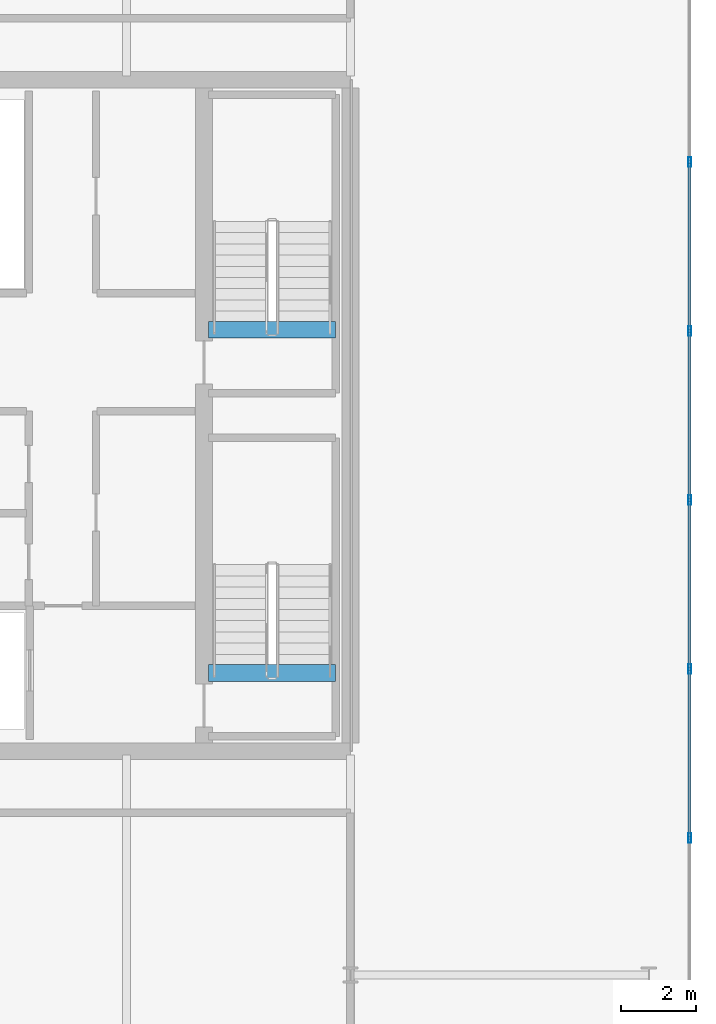
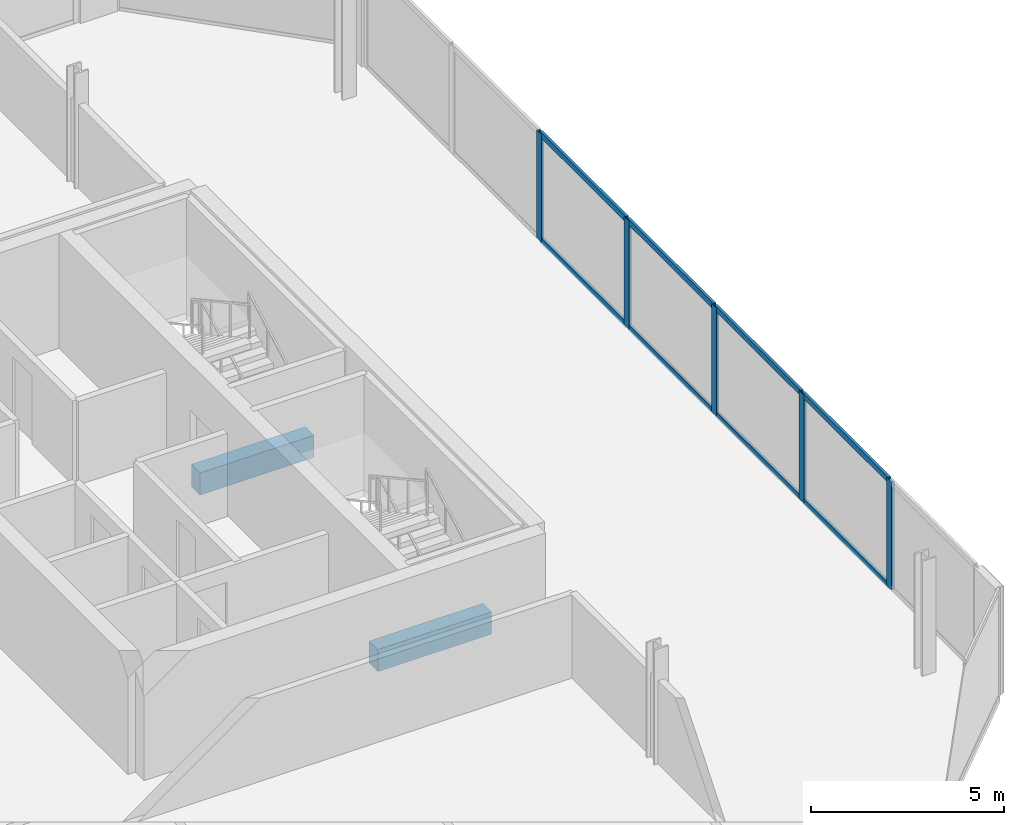
# One storey, part 8 of 16: 13 members, 2 beams, 1 element without a shape of its own.
"""IFC4 building model written with IfcOpenShell, lengths in metres."""

import ifcopenshell
import ifcopenshell.guid

model = None  # the IFC model being written
_history = None  # IfcOwnerHistory: only IFC2X3 demands one
_inside = {}  # id of a spatial element -> (the spatial element, [elements in it])
_under = {}  # id of a project, library or spatial element -> (it, [spatial elements below it])
_declared = {}  # id of a project -> (the project, [libraries it declares])
_typed = {}  # id of a type object -> (the type object, [elements of that type])
_made_of = {}  # id of a material, layer set ... -> (it, [elements and type objects made of it])


def new_model(schema):
    """Start an empty IFC model of exactly this schema.

    Asked for "IFC4X3", IfcOpenShell would pick the latest addendum, in which some entities
    have other attributes; the version numbers below select the first issue.
    IFC2X3 requires an IfcOwnerHistory on every rooted entity: one is made here for all.
    """
    global model, _history
    if schema == "IFC4X3":
        model = ifcopenshell.file(schema_version=(4, 3, 0, 0))
    else:
        model = ifcopenshell.file(schema=schema)
    _inside.clear()
    _under.clear()
    _declared.clear()
    _typed.clear()
    _made_of.clear()
    _history = None
    if model.schema == "IFC2X3":
        org = make("IfcOrganization", Name="unknown")
        user = make(
            "IfcPersonAndOrganization",
            ThePerson=make("IfcPerson", FamilyName="unknown"),
            TheOrganization=org,
        )
        app = make(
            "IfcApplication",
            ApplicationDeveloper=org,
            Version="unknown",
            ApplicationFullName="unknown",
            ApplicationIdentifier="unknown",
        )
        _history = make(
            "IfcOwnerHistory",
            OwningUser=user,
            OwningApplication=app,
            ChangeAction="ADDED",
            CreationDate=0,
        )
    return model


def make(cls, **values):
    """One entity of the class cls with the attributes given. An attribute that is None is left unset."""
    return model.create_entity(
        cls, **{name: value for name, value in values.items() if value is not None}
    )


def rooted(cls, **values):
    """An entity with a GlobalId (a new one), such as an element, a storey or a relation."""
    return make(cls, GlobalId=ifcopenshell.guid.new(), OwnerHistory=_history, **values)


def si_unit(unit_type, name, prefix=None):
    """IfcSIUnit, for example si_unit("LENGTHUNIT", "METRE", prefix="MILLI")."""
    return make("IfcSIUnit", UnitType=unit_type, Prefix=prefix, Name=name)


def assignment(units):
    """IfcUnitAssignment: the units of a project."""
    return None if units is None else make("IfcUnitAssignment", Units=units)


def point(xyz):
    """IfcCartesianPoint."""
    return None if xyz is None else make("IfcCartesianPoint", Coordinates=xyz)


def direction(xyz):
    """IfcDirection."""
    return None if xyz is None else make("IfcDirection", DirectionRatios=xyz)


def frame(location, z_axis=None, x_axis=None):
    """IfcAxis2Placement3D, a coordinate frame: its origin and axes. An axis left out is left unset."""
    return make(
        "IfcAxis2Placement3D",
        Location=point(location),
        Axis=direction(z_axis),
        RefDirection=direction(x_axis),
    )


def frame_2d(location, x_axis=None):
    """IfcAxis2Placement2D, a coordinate frame in the plane: its origin and x axis."""
    return make(
        "IfcAxis2Placement2D", Location=point(location), RefDirection=direction(x_axis)
    )


def origin():
    """The frame at (0, 0, 0) with its axes left unset."""
    return frame((0.0, 0.0, 0.0))


def origin_2d():
    """The frame at (0, 0) in the plane with its x axis left unset."""
    return frame_2d((0.0, 0.0))


def place(relative_to, where):
    """IfcLocalPlacement: puts the frame where relative to a parent placement (None: the world)."""
    return make(
        "IfcLocalPlacement", PlacementRelTo=relative_to, RelativePlacement=where
    )


def context(
    kind, dimensions, precision=None, world=None, true_north=None, identifier=None
):
    """IfcGeometricRepresentationContext, for example the 3D "Model" context."""
    return make(
        "IfcGeometricRepresentationContext",
        ContextIdentifier=identifier,
        ContextType=kind,
        CoordinateSpaceDimension=dimensions,
        Precision=precision,
        WorldCoordinateSystem=world,
        TrueNorth=true_north,
    )


def subcontext(parent, identifier, kind, view, scale=None):
    """IfcGeometricRepresentationSubContext, for example "Body" below "Model"."""
    return make(
        "IfcGeometricRepresentationSubContext",
        ContextIdentifier=identifier,
        ContextType=kind,
        ParentContext=parent,
        TargetScale=scale,
        TargetView=view,
    )


def project(units=None, contexts=None):
    """IfcProject with its units and contexts."""
    return rooted(
        "IfcProject",
        Name="project",
        RepresentationContexts=contexts,
        UnitsInContext=assignment(units),
    )


def spatial(cls, under=None, at=None, **own):
    """A site, building, storey or space (cls), placed at a placement, below another one or the project."""
    s = rooted(cls, ObjectPlacement=at, **own)
    if under is not None:
        _under.setdefault(under.id(), (under, []))[1].append(s)
    return s


def profile(cls, at=None, kind="AREA", **sizes):
    """A parametric profile (cls). Its sizes go by their IFC names, for example OverallWidth=200.0."""
    return make(cls, ProfileType=kind, Position=at, **sizes)


def rectangle(**sizes):
    """IfcRectangleProfileDef."""
    return profile("IfcRectangleProfileDef", **sizes)


def hollow_rectangle(**sizes):
    """IfcRectangleHollowProfileDef."""
    return profile("IfcRectangleHollowProfileDef", **sizes)


def extrude(swept, where, along, depth):
    """IfcExtrudedAreaSolid: the profile swept, set in the frame where, extruded along a direction by depth."""
    return make(
        "IfcExtrudedAreaSolid",
        SweptArea=swept,
        Position=where,
        ExtrudedDirection=direction(along),
        Depth=depth,
    )


def shape(context_of_items, identifier, shape_type, items):
    """IfcShapeRepresentation: the items that make up one representation, for example the "Body"."""
    return make(
        "IfcShapeRepresentation",
        ContextOfItems=context_of_items,
        RepresentationIdentifier=identifier,
        RepresentationType=shape_type,
        Items=items,
    )


def material(Name=None, Category=None):
    """IfcMaterial."""
    return make("IfcMaterial", Name=Name, Category=Category)


def layer(
    of_material, thickness, ventilated=None, Name=None, Category=None, Priority=None
):
    """IfcMaterialLayer: one layer of a wall or slab, of a material (None: an air gap)."""
    return make(
        "IfcMaterialLayer",
        Material=of_material,
        LayerThickness=thickness,
        IsVentilated=ventilated,
        Name=Name,
        Category=Category,
        Priority=Priority,
    )


def layer_set(layers, Name=None):
    """IfcMaterialLayerSet."""
    return make("IfcMaterialLayerSet", MaterialLayers=layers, LayerSetName=Name)


def material_profile(
    of_material, cross_section, Name=None, Category=None, Priority=None
):
    """IfcMaterialProfile: a cross section and its material."""
    return make(
        "IfcMaterialProfile",
        Name=Name,
        Material=of_material,
        Profile=cross_section,
        Priority=Priority,
        Category=Category,
    )


def profile_set(profiles, Name=None, composite=None):
    """IfcMaterialProfileSet."""
    return make(
        "IfcMaterialProfileSet",
        Name=Name,
        MaterialProfiles=profiles,
        CompositeProfile=composite,
    )


def made_of(thing, what):
    """Note that an element or type object is made of a material, layer set ...; save() writes the relation."""
    if what is not None:
        _made_of.setdefault(what.id(), (what, []))[1].append(thing)
    return thing


def type_object(cls, material=None, **own):
    """A type object (cls), such as IfcWallType, which elements share."""
    return made_of(rooted(cls, **own), material)


def element(
    cls,
    number,
    at=None,
    inside=None,
    cuts=None,
    type_object=None,
    material=None,
    context=None,
    identifier="Body",
    shape_type=None,
    held_by="IfcProductDefinitionShape",
    body=None,
    shapes=None,
    **own,
):
    """One element of the class cls, such as IfcWall. Its Tag is "e" and its number.

    at: its placement. inside: the storey or other place that contains it. cuts: it is an
    opening in that element (IfcRelVoidsElement). A single representation is given by context,
    identifier, shape_type and body (its items); several are given by shapes. held_by: the class
    of the entity that holds the representations. save() writes the other relations.
    """
    e = rooted(cls, Tag="e%d" % number, ObjectPlacement=at, **own)
    if body is not None:
        shapes = [shape(context, identifier, shape_type, body)]
    if shapes is not None:
        e.Representation = make(held_by, Representations=shapes)
    if inside is not None:
        _inside.setdefault(inside.id(), (inside, []))[1].append(e)
    if cuts is not None:
        rooted(
            "IfcRelVoidsElement", RelatingBuildingElement=cuts, RelatedOpeningElement=e
        )
    if type_object is not None:
        _typed.setdefault(type_object.id(), (type_object, []))[1].append(e)
    return made_of(e, material)


def aggregate(whole, parts):
    """IfcRelAggregates: a whole, such as a stair, and the parts it consists of."""
    return rooted("IfcRelAggregates", RelatingObject=whole, RelatedObjects=parts)


def save(model, path):
    """Write the relations noted so far, then the file.

    IfcRelAggregates (storeys below a building ...), IfcRelContainedInSpatialStructure (elements
    in a storey), IfcRelDefinesByType, IfcRelAssociatesMaterial and IfcRelDeclares: one each for
    every whole, place, type object, material and project.
    """
    for whole, parts in _under.values():
        aggregate(whole, parts)
    for where, things in _inside.values():
        rooted(
            "IfcRelContainedInSpatialStructure",
            RelatedElements=things,
            RelatingStructure=where,
        )
    for kind, things in _typed.values():
        rooted("IfcRelDefinesByType", RelatedObjects=things, RelatingType=kind)
    for what, things in _made_of.values():
        rooted("IfcRelAssociatesMaterial", RelatedObjects=things, RelatingMaterial=what)
    for by, libraries in _declared.values():
        rooted("IfcRelDeclares", RelatingContext=by, RelatedDefinitions=libraries)
    model.write(path)


model = new_model("IFC4")

# Units and contexts
model_context = context("Model", 3, precision=1e-05, world=origin(), true_north=direction((0.0, 1.0)))
body_context = subcontext(model_context, "Body", "Model", "MODEL_VIEW")
ifc_project = project(units=[si_unit("LENGTHUNIT", "METRE"), si_unit("AREAUNIT", "SQUARE_METRE"), si_unit("VOLUMEUNIT", "CUBIC_METRE"), si_unit("PLANEANGLEUNIT", "RADIAN"), si_unit("MASSUNIT", "GRAM", prefix="KILO")], contexts=[model_context])

# Site, building, storey
site_placement = place(None, origin())
site = spatial("IfcSite", under=ifc_project, at=site_placement, CompositionType="ELEMENT")
building_placement = place(site_placement, origin())
building = spatial("IfcBuilding", under=site, at=building_placement, Name="Tanjung Sevakor Pilgrim Tower", CompositionType="ELEMENT")
storey_placement = place(building_placement, frame((0.0, 0.0, 271.590087890625)))
storey = spatial("IfcBuildingStorey", under=building, at=storey_placement, Name="L76", CompositionType="ELEMENT", Elevation=271.590087890625)

# Beams
ifc_material_1 = material(Name="Concrete C60/75", Category="concrete")
ifc_material_profile_1 = material_profile(ifc_material_1, rectangle(XDim=0.449951171875, YDim=0.699951171875, at=origin_2d()))
ifc_profile_set_1 = profile_set([ifc_material_profile_1], Name="Concrete C60/75")
beam_type = type_object("IfcBeamType", Name="BM-B-LN3-RC-BM_450x700", PredefinedType="LINTEL", material=ifc_profile_set_1)
for number, where, z_axis, x_axis, name in (
    (1, (86.199951171875, 26.699951171875, -0.35009765625), (1.0, 0.0, 0.0), (0.0, 1.0, 0.0), "L76 TS-E1 Stair Threshold Beam"),
    (2, (86.199951171875, 35.89990234375, -0.35009765625), (1.0, 0.0, 0.0), (0.0, 1.0, 0.0), "L76 TS-E2 Stair Threshold Beam"),
):
    element("IfcBeam", number, at=place(storey_placement, frame(where, z_axis=z_axis, x_axis=x_axis)), inside=storey, type_object=beam_type, Name=name, PredefinedType="LINTEL", context=body_context, shape_type="SweptSolid", body=[
        extrude(rectangle(XDim=0.449951171875, YDim=0.699951171875, at=origin_2d()), origin(), (0.0, 0.0, 1.0), 3.400146484375),
    ])

# Curtain wall, members
ifc_material_2 = material(Name="Aluminium 6063-T6 and Low-E Glass", Category="aluminium")
ifc_layer = layer(ifc_material_2, 0.219970703125)
ifc_layer_set = layer_set([ifc_layer], Name="CW-SYS-CRNE")
curtain_wall_type = type_object("IfcCurtainWallType", Name="CW-SYS-CRNE", PredefinedType="NOTDEFINED", material=ifc_layer_set)
curtain_wall_placement = place(storey_placement, origin())
curtain_wall = element("IfcCurtainWall", 3, at=curtain_wall_placement, inside=storey, type_object=curtain_wall_type, Name="L76 Curtain Wall CW-CRN-L76-EAST-2-1", PredefinedType="NOTDEFINED")
ifc_material_3 = material(Name="Aluminium 6063-T6", Category="aluminium")
ifc_material_profile_2 = material_profile(ifc_material_3, hollow_rectangle(XDim=0.080078125, YDim=0.260009765625, WallThickness=0.0048828125, at=origin_2d()))
ifc_profile_set_2 = profile_set([ifc_material_profile_2], Name="Aluminium 6063-T6")
member_type_1 = type_object("IfcMemberType", Name="TYPE-CWM-3", PredefinedType="MULLION", material=ifc_profile_set_2)
member_1_placement = place(storey_placement, frame((99.090087890625, 22.275390625, 0.0), z_axis=(0.0, 0.0, 1.0), x_axis=(-1.0, 0.0, 0.0)))
member_1 = element("IfcMember", 4, at=member_1_placement, type_object=member_type_1, Name="CW-CRE mullion 2", PredefinedType="MULLION", context=body_context, shape_type="SweptSolid", body=[
    extrude(hollow_rectangle(XDim=0.080078125, YDim=0.260009765625, WallThickness=0.0048828125, at=origin_2d()), origin(), (0.0, 0.0, 1.0), 3.409912109375),
])
member_2_placement = place(storey_placement, frame((99.090087890625, 26.80517578125, 0.0), z_axis=(0.0, 0.0, 1.0), x_axis=(-1.0, 0.0, 0.0)))
member_2 = element("IfcMember", 5, at=member_2_placement, type_object=member_type_1, Name="CW-CRE mullion 3", PredefinedType="MULLION", context=body_context, shape_type="SweptSolid", body=[
    extrude(hollow_rectangle(XDim=0.080078125, YDim=0.260009765625, WallThickness=0.0048828125, at=origin_2d()), origin(), (0.0, 0.0, 1.0), 3.409912109375),
])
member_3_placement = place(storey_placement, frame((99.090087890625, 31.335205078125, 0.0), z_axis=(0.0, 0.0, 1.0), x_axis=(-1.0, 0.0, 0.0)))
member_3 = element("IfcMember", 6, at=member_3_placement, type_object=member_type_1, Name="CW-CRE mullion 4", PredefinedType="MULLION", context=body_context, shape_type="SweptSolid", body=[
    extrude(hollow_rectangle(XDim=0.080078125, YDim=0.260009765625, WallThickness=0.0048828125, at=origin_2d()), origin(), (0.0, 0.0, 1.0), 3.409912109375),
])
member_4_placement = place(storey_placement, frame((99.090087890625, 35.864990234375, 0.0), z_axis=(0.0, 0.0, 1.0), x_axis=(-1.0, 0.0, 0.0)))
member_4 = element("IfcMember", 7, at=member_4_placement, type_object=member_type_1, Name="CW-CRE mullion 5", PredefinedType="MULLION", context=body_context, shape_type="SweptSolid", body=[
    extrude(hollow_rectangle(XDim=0.080078125, YDim=0.260009765625, WallThickness=0.0048828125, at=origin_2d()), origin(), (0.0, 0.0, 1.0), 3.409912109375),
])
member_5_placement = place(storey_placement, frame((99.090087890625, 40.394775390625, 0.0), z_axis=(0.0, 0.0, 1.0), x_axis=(-1.0, 0.0, 0.0)))
member_5 = element("IfcMember", 8, at=member_5_placement, type_object=member_type_1, Name="CW-CRE mullion 6", PredefinedType="MULLION", context=body_context, shape_type="SweptSolid", body=[
    extrude(hollow_rectangle(XDim=0.080078125, YDim=0.260009765625, WallThickness=0.0048828125, at=origin_2d()), origin(), (0.0, 0.0, 1.0), 3.409912109375),
])
ifc_material_4 = material(Name="Aluminium 6063-T6", Category="aluminium")
ifc_material_profile_3 = material_profile(ifc_material_4, hollow_rectangle(XDim=0.080078125, YDim=0.179931640625, WallThickness=0.0048828125, at=origin_2d()))
ifc_profile_set_3 = profile_set([ifc_material_profile_3], Name="Aluminium 6063-T6")
member_type_2 = type_object("IfcMemberType", Name="TYPE-CWT-3", PredefinedType="USERDEFINED", material=ifc_profile_set_3)
member_6_placement = place(storey_placement, frame((99.090087890625, 22.3154296875, 0.039794921875), z_axis=(0.0, 1.0, 0.0), x_axis=(-1.0, 0.0, 0.0)))
member_6 = element("IfcMember", 9, at=member_6_placement, type_object=member_type_2, Name="CW-CRE transom 2.1", ObjectType="TRANSOM", PredefinedType="USERDEFINED", context=body_context, shape_type="SweptSolid", body=[
    extrude(hollow_rectangle(XDim=0.080078125, YDim=0.179931640625, WallThickness=0.0048828125, at=origin_2d()), origin(), (0.0, 0.0, 1.0), 4.44970703125),
])
member_7_placement = place(storey_placement, frame((99.090087890625, 22.3154296875, 3.369873046875), z_axis=(0.0, 1.0, 0.0), x_axis=(-1.0, 0.0, 0.0)))
member_7 = element("IfcMember", 10, at=member_7_placement, type_object=member_type_2, Name="CW-CRE transom 2.2", ObjectType="TRANSOM", PredefinedType="USERDEFINED", context=body_context, shape_type="SweptSolid", body=[
    extrude(hollow_rectangle(XDim=0.080078125, YDim=0.179931640625, WallThickness=0.0048828125, at=origin_2d()), origin(), (0.0, 0.0, 1.0), 4.44970703125),
])
member_8_placement = place(storey_placement, frame((99.090087890625, 26.84521484375, 0.039794921875), z_axis=(0.0, 1.0, 0.0), x_axis=(-1.0, 0.0, 0.0)))
member_8 = element("IfcMember", 11, at=member_8_placement, type_object=member_type_2, Name="CW-CRE transom 3.1", ObjectType="TRANSOM", PredefinedType="USERDEFINED", context=body_context, shape_type="SweptSolid", body=[
    extrude(hollow_rectangle(XDim=0.080078125, YDim=0.179931640625, WallThickness=0.0048828125, at=origin_2d()), origin(), (0.0, 0.0, 1.0), 4.449951171875),
])
member_9_placement = place(storey_placement, frame((99.090087890625, 26.84521484375, 3.369873046875), z_axis=(0.0, 1.0, 0.0), x_axis=(-1.0, 0.0, 0.0)))
member_9 = element("IfcMember", 12, at=member_9_placement, type_object=member_type_2, Name="CW-CRE transom 3.2", ObjectType="TRANSOM", PredefinedType="USERDEFINED", context=body_context, shape_type="SweptSolid", body=[
    extrude(hollow_rectangle(XDim=0.080078125, YDim=0.179931640625, WallThickness=0.0048828125, at=origin_2d()), origin(), (0.0, 0.0, 1.0), 4.449951171875),
])
member_10_placement = place(storey_placement, frame((99.090087890625, 31.375, 0.039794921875), z_axis=(0.0, 1.0, 0.0), x_axis=(-1.0, 0.0, 0.0)))
member_10 = element("IfcMember", 13, at=member_10_placement, type_object=member_type_2, Name="CW-CRE transom 4.1", ObjectType="TRANSOM", PredefinedType="USERDEFINED", context=body_context, shape_type="SweptSolid", body=[
    extrude(hollow_rectangle(XDim=0.080078125, YDim=0.179931640625, WallThickness=0.0048828125, at=origin_2d()), origin(), (0.0, 0.0, 1.0), 4.449951171875),
])
member_11_placement = place(storey_placement, frame((99.090087890625, 31.375, 3.369873046875), z_axis=(0.0, 1.0, 0.0), x_axis=(-1.0, 0.0, 0.0)))
member_11 = element("IfcMember", 14, at=member_11_placement, type_object=member_type_2, Name="CW-CRE transom 4.2", ObjectType="TRANSOM", PredefinedType="USERDEFINED", context=body_context, shape_type="SweptSolid", body=[
    extrude(hollow_rectangle(XDim=0.080078125, YDim=0.179931640625, WallThickness=0.0048828125, at=origin_2d()), origin(), (0.0, 0.0, 1.0), 4.449951171875),
])
member_12_placement = place(storey_placement, frame((99.090087890625, 35.905029296875, 0.039794921875), z_axis=(0.0, 1.0, 0.0), x_axis=(-1.0, 0.0, 0.0)))
member_12 = element("IfcMember", 15, at=member_12_placement, type_object=member_type_2, Name="CW-CRE transom 5.1", ObjectType="TRANSOM", PredefinedType="USERDEFINED", context=body_context, shape_type="SweptSolid", body=[
    extrude(hollow_rectangle(XDim=0.080078125, YDim=0.179931640625, WallThickness=0.0048828125, at=origin_2d()), origin(), (0.0, 0.0, 1.0), 4.44970703125),
])
member_13_placement = place(storey_placement, frame((99.090087890625, 35.905029296875, 3.369873046875), z_axis=(0.0, 1.0, 0.0), x_axis=(-1.0, 0.0, 0.0)))
member_13 = element("IfcMember", 16, at=member_13_placement, type_object=member_type_2, Name="CW-CRE transom 5.2", ObjectType="TRANSOM", PredefinedType="USERDEFINED", context=body_context, shape_type="SweptSolid", body=[
    extrude(hollow_rectangle(XDim=0.080078125, YDim=0.179931640625, WallThickness=0.0048828125, at=origin_2d()), origin(), (0.0, 0.0, 1.0), 4.44970703125),
])
aggregate(curtain_wall, [member_1, member_2, member_3, member_4, member_5, member_6, member_7, member_8, member_9, member_10, member_11, member_12, member_13])

save(model, "model.ifc")
